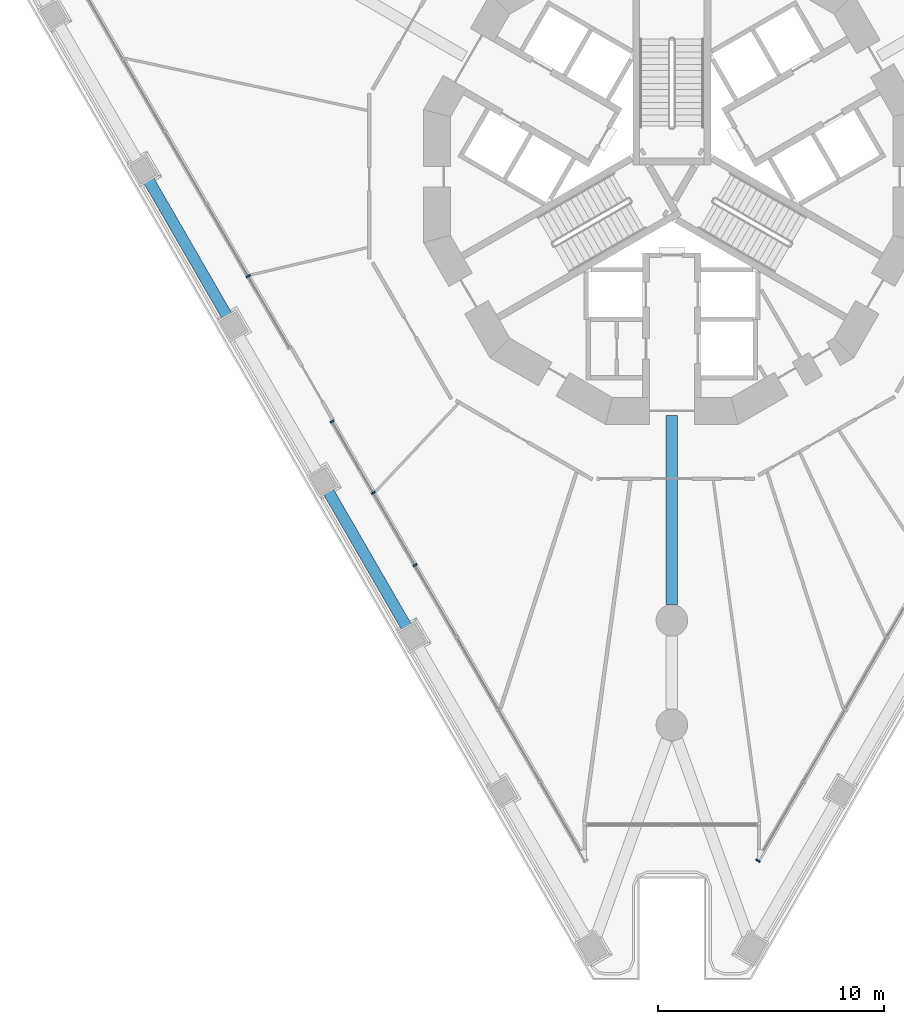
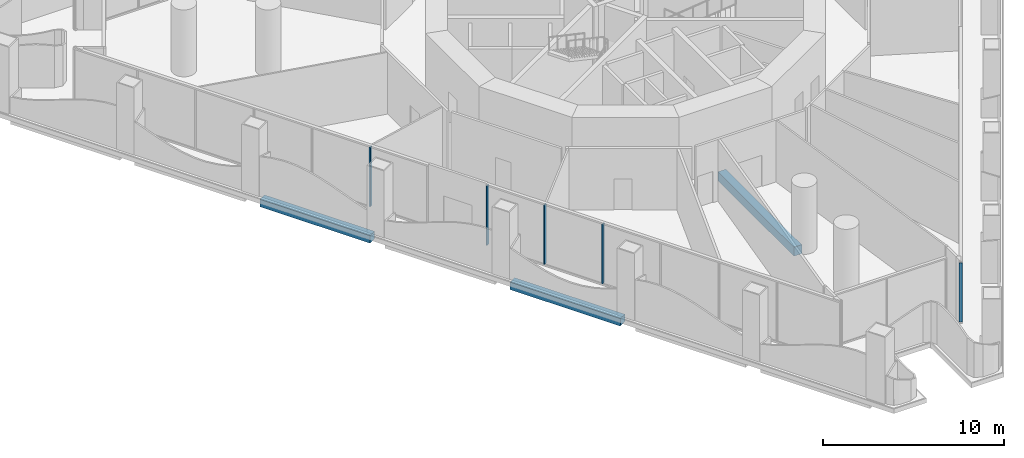
# One storey, part 3 of 21: 5 members, 3 beams, 3 elements without a shape of their own.
"""IFC4 building model written with IfcOpenShell, lengths in metres."""

from ifc_helpers import new_model, si_unit, direction, frame, origin, origin_2d, place, context, subcontext, project, spatial, rectangle, extrude, material, layer, layer_set, material_profile, profile_set, type_object, element, aggregate, save


model = new_model("IFC4")

# Units and contexts
model_context = context("Model", 3, precision=1e-05, world=origin(), true_north=direction((0.0, 1.0)))
body_context = subcontext(model_context, "Body", "Model", "MODEL_VIEW")
ifc_project = project(units=[si_unit("LENGTHUNIT", "METRE"), si_unit("AREAUNIT", "SQUARE_METRE"), si_unit("VOLUMEUNIT", "CUBIC_METRE"), si_unit("PLANEANGLEUNIT", "RADIAN"), si_unit("MASSUNIT", "GRAM", prefix="KILO")], contexts=[model_context])

# Site, building, storey
site_placement = place(None, origin())
site = spatial("IfcSite", under=ifc_project, at=site_placement, CompositionType="ELEMENT")
building_placement = place(site_placement, origin())
building = spatial("IfcBuilding", under=site, at=building_placement, Name="Trine Commons Tower", CompositionType="ELEMENT")
storey_placement = place(building_placement, frame((0.0, 0.0, 27.0)))
storey = spatial("IfcBuildingStorey", under=building, at=storey_placement, Name="L05", CompositionType="ELEMENT", Elevation=27.0)

# Curtain wall, member
ifc_material_1 = material(Name="Podium glazing: anodised aluminium frame with low-emissivity double glazed unit", Category="aluminium")
ifc_layer = layer(ifc_material_1, 0.199951171875)
ifc_layer_set = layer_set([ifc_layer], Name="Podium glazing: anodised aluminium frame with low-emissivity double glazed unit")
curtain_wall_type = type_object("IfcCurtainWallType", Name="Podium glazing curtain wall CW3", PredefinedType="NOTDEFINED", material=ifc_layer_set)
curtain_wall_1_placement = place(storey_placement, origin())
curtain_wall_1 = element("IfcCurtainWall", 1, at=curtain_wall_1_placement, inside=storey, type_object=curtain_wall_type, Name="Podium glazing L05 F2.2", PredefinedType="NOTDEFINED")
ifc_material_2 = material(Name="Anodised aluminium, bronze finish", Category="aluminium")
ifc_material_profile_1 = material_profile(ifc_material_2, rectangle(XDim=0.199951171875, YDim=0.074951171875, at=origin_2d()), Name="Mullion 75x200")
ifc_profile_set_1 = profile_set([ifc_material_profile_1], Name="Anodised aluminium, bronze finish")
member_type = type_object("IfcMemberType", Name="Mullion 75x200, Anodised aluminium, bronze finish", PredefinedType="MULLION", material=ifc_profile_set_1)
member_1_placement = place(storey_placement, frame((83.818603515625, 32.14501953125, 0.10009765625), z_axis=(0.0, 0.0, 1.0), x_axis=(0.866025403784, -0.5, 0.0)))
member_1 = element("IfcMember", 2, at=member_1_placement, type_object=member_type, Name="CW3 mullion 7.1", PredefinedType="MULLION", context=body_context, shape_type="SweptSolid", body=[
    extrude(rectangle(XDim=0.199951171875, YDim=0.074951171875, at=origin_2d()), origin(), (0.0, 0.0, 1.0), 4.0),
])
aggregate(curtain_wall_1, [member_1])

# Curtain wall, members
curtain_wall_2_placement = place(storey_placement, origin())
curtain_wall_2 = element("IfcCurtainWall", 3, at=curtain_wall_2_placement, inside=storey, type_object=curtain_wall_type, Name="Podium glazing L05 F3.1", PredefinedType="NOTDEFINED")
member_2_placement = place(storey_placement, frame((68.615478515625, 45.2490234375, 0.10009765625), z_axis=(0.0, 0.0, 1.0), x_axis=(-0.866025403784, -0.5, 0.0)))
member_2 = element("IfcMember", 4, at=member_2_placement, type_object=member_type, Name="CW3 mullion 5.1", PredefinedType="MULLION", context=body_context, shape_type="SweptSolid", body=[
    extrude(rectangle(XDim=0.199951171875, YDim=0.074951171875, at=origin_2d()), origin(), (0.0, 0.0, 1.0), 4.0),
])
member_3_placement = place(storey_placement, frame((66.76611328125, 48.452392578125, 0.10009765625), z_axis=(0.0, 0.0, 1.0), x_axis=(-0.866025403784, -0.5, 0.0)))
member_3 = element("IfcMember", 5, at=member_3_placement, type_object=member_type, Name="CW3 mullion 6.1", PredefinedType="MULLION", context=body_context, shape_type="SweptSolid", body=[
    extrude(rectangle(XDim=0.199951171875, YDim=0.074951171875, at=origin_2d()), origin(), (0.0, 0.0, 1.0), 4.0),
])
member_4_placement = place(storey_placement, frame((64.935302734375, 51.623291015625, 0.10009765625), z_axis=(0.0, 0.0, 1.0), x_axis=(-0.866025403784, -0.5, 0.0)))
member_4 = element("IfcMember", 6, at=member_4_placement, type_object=member_type, Name="CW3 mullion 7.1", PredefinedType="MULLION", context=body_context, shape_type="SweptSolid", body=[
    extrude(rectangle(XDim=0.199951171875, YDim=0.074951171875, at=origin_2d()), origin(), (0.0, 0.0, 1.0), 4.0),
])
aggregate(curtain_wall_2, [member_2, member_3, member_4])

# Curtain wall, member
curtain_wall_3_placement = place(storey_placement, origin())
curtain_wall_3 = element("IfcCurtainWall", 7, at=curtain_wall_3_placement, inside=storey, type_object=curtain_wall_type, Name="Podium glazing L05 F3.2", PredefinedType="NOTDEFINED")
member_5_placement = place(storey_placement, frame((61.2177734375, 58.0625, 0.10009765625), z_axis=(0.0, 0.0, 1.0), x_axis=(-0.866025403784, -0.5, 0.0)))
member_5 = element("IfcMember", 8, at=member_5_placement, type_object=member_type, Name="CW3 mullion 2.1", PredefinedType="MULLION", context=body_context, shape_type="SweptSolid", body=[
    extrude(rectangle(XDim=0.199951171875, YDim=0.074951171875, at=origin_2d()), origin(), (0.0, 0.0, 1.0), 4.0),
])
aggregate(curtain_wall_3, [member_5])

# Beams
ifc_material_3 = material(Name="Concrete C50/60", Category="concrete")
ifc_material_profile_2 = material_profile(ifc_material_3, rectangle(XDim=0.5, YDim=0.5, at=origin_2d()), Name="RC 500x500")
ifc_profile_set_2 = profile_set([ifc_material_profile_2], Name="Concrete C50/60")
beam_type_1 = type_object("IfcBeamType", Name="RC beam 500x500, C50/60", PredefinedType="BEAM", material=ifc_profile_set_2)
for number, where, z_axis, x_axis, name in (
    (9, (68.254638671875, 42.474365234375, -0.60009765625), (-0.499991645397, 0.866030227263, 0.0), (-0.866030227263, -0.499991645397, 0.0), "Beam EB1-03 L05"),
    (10, (60.291259765625, 56.267333984375, -0.60009765625), (-0.499991645397, 0.866030227263, 0.0), (-0.866030227263, -0.499991645397, 0.0), "Beam EB1-05 L05"),
):
    element("IfcBeam", number, at=place(storey_placement, frame(where, z_axis=z_axis, x_axis=x_axis)), inside=storey, type_object=beam_type_1, Name=name, PredefinedType="BEAM", context=body_context, shape_type="SweptSolid", body=[
        extrude(rectangle(XDim=0.5, YDim=0.5, at=origin_2d()), origin(), (0.0, 0.0, 1.0), 7.01318359375),
    ])
ifc_material_profile_3 = material_profile(ifc_material_3, rectangle(XDim=0.5, YDim=0.60009765625, at=origin_2d()), Name="RC 500x600")
ifc_profile_set_3 = profile_set([ifc_material_profile_3], Name="Concrete C50/60")
beam_type_2 = type_object("IfcBeamType", Name="RC beam 500x600, C50/60", PredefinedType="BEAM", material=ifc_profile_set_3)
beam_placement = place(storey_placement, frame((80.0, 51.888427734375, -0.64990234375), z_axis=(0.0, -1.0, 0.0), x_axis=(1.0, 0.0, 0.0)))
element("IfcBeam", 11, at=beam_placement, inside=storey, type_object=beam_type_2, Name="Beam RB1-01 L05", PredefinedType="BEAM", context=body_context, shape_type="SweptSolid", body=[
    extrude(rectangle(XDim=0.5, YDim=0.60009765625, at=origin_2d()), origin(), (0.0, 0.0, 1.0), 8.385498046875),
])

save(model, "model.ifc")
